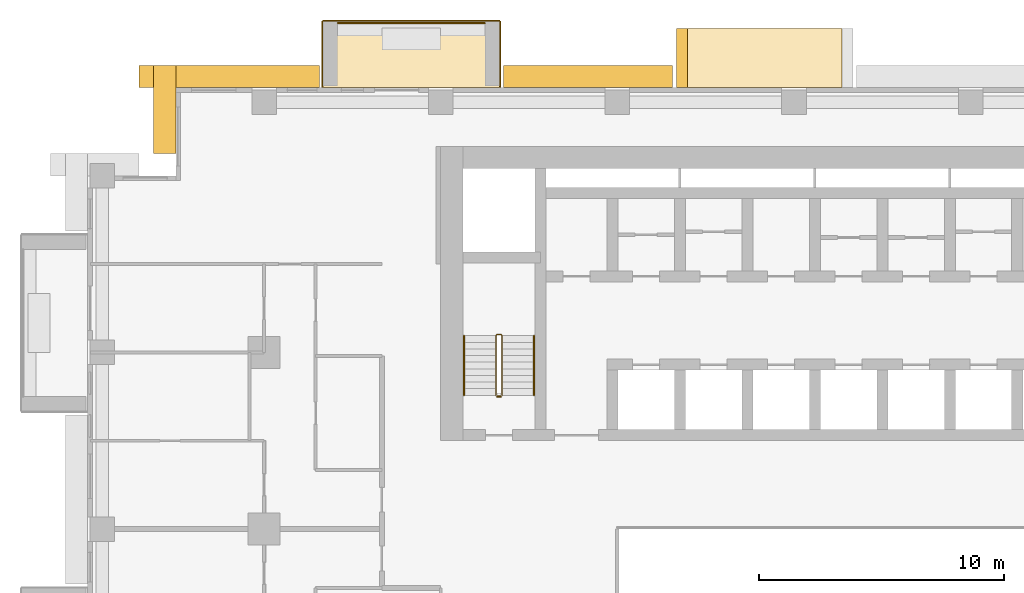
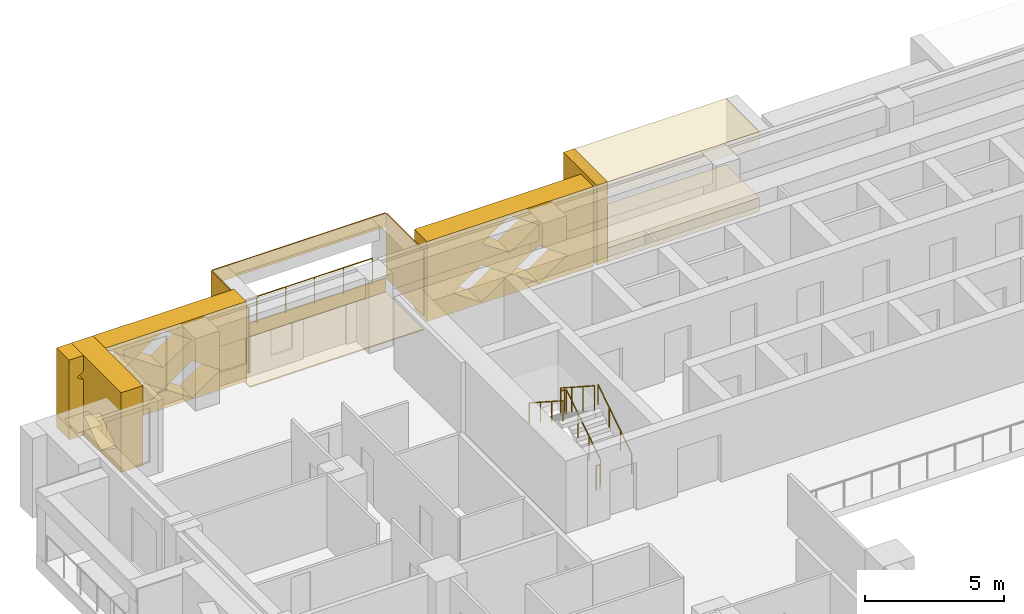
# One storey, part 15 of 17: 11 coverings, 5 railings.
"""IFC4 building model written with IfcOpenShell, lengths in metres."""

import ifcopenshell
import ifcopenshell.guid

model = None  # the IFC model being written
_history = None  # IfcOwnerHistory: only IFC2X3 demands one
_inside = {}  # id of a spatial element -> (the spatial element, [elements in it])
_under = {}  # id of a project, library or spatial element -> (it, [spatial elements below it])
_declared = {}  # id of a project -> (the project, [libraries it declares])
_typed = {}  # id of a type object -> (the type object, [elements of that type])
_made_of = {}  # id of a material, layer set ... -> (it, [elements and type objects made of it])


def new_model(schema):
    """Start an empty IFC model of exactly this schema.

    Asked for "IFC4X3", IfcOpenShell would pick the latest addendum, in which some entities
    have other attributes; the version numbers below select the first issue.
    IFC2X3 requires an IfcOwnerHistory on every rooted entity: one is made here for all.
    """
    global model, _history
    if schema == "IFC4X3":
        model = ifcopenshell.file(schema_version=(4, 3, 0, 0))
    else:
        model = ifcopenshell.file(schema=schema)
    _inside.clear()
    _under.clear()
    _declared.clear()
    _typed.clear()
    _made_of.clear()
    _history = None
    if model.schema == "IFC2X3":
        org = make("IfcOrganization", Name="unknown")
        user = make(
            "IfcPersonAndOrganization",
            ThePerson=make("IfcPerson", FamilyName="unknown"),
            TheOrganization=org,
        )
        app = make(
            "IfcApplication",
            ApplicationDeveloper=org,
            Version="unknown",
            ApplicationFullName="unknown",
            ApplicationIdentifier="unknown",
        )
        _history = make(
            "IfcOwnerHistory",
            OwningUser=user,
            OwningApplication=app,
            ChangeAction="ADDED",
            CreationDate=0,
        )
    return model


def make(cls, **values):
    """One entity of the class cls with the attributes given. An attribute that is None is left unset."""
    return model.create_entity(
        cls, **{name: value for name, value in values.items() if value is not None}
    )


def rooted(cls, **values):
    """An entity with a GlobalId (a new one), such as an element, a storey or a relation."""
    return make(cls, GlobalId=ifcopenshell.guid.new(), OwnerHistory=_history, **values)


def si_unit(unit_type, name, prefix=None):
    """IfcSIUnit, for example si_unit("LENGTHUNIT", "METRE", prefix="MILLI")."""
    return make("IfcSIUnit", UnitType=unit_type, Prefix=prefix, Name=name)


def assignment(units):
    """IfcUnitAssignment: the units of a project."""
    return None if units is None else make("IfcUnitAssignment", Units=units)


def point(xyz):
    """IfcCartesianPoint."""
    return None if xyz is None else make("IfcCartesianPoint", Coordinates=xyz)


def direction(xyz):
    """IfcDirection."""
    return None if xyz is None else make("IfcDirection", DirectionRatios=xyz)


def frame(location, z_axis=None, x_axis=None):
    """IfcAxis2Placement3D, a coordinate frame: its origin and axes. An axis left out is left unset."""
    return make(
        "IfcAxis2Placement3D",
        Location=point(location),
        Axis=direction(z_axis),
        RefDirection=direction(x_axis),
    )


def frame_2d(location, x_axis=None):
    """IfcAxis2Placement2D, a coordinate frame in the plane: its origin and x axis."""
    return make(
        "IfcAxis2Placement2D", Location=point(location), RefDirection=direction(x_axis)
    )


def origin():
    """The frame at (0, 0, 0) with its axes left unset."""
    return frame((0.0, 0.0, 0.0))


def origin_2d():
    """The frame at (0, 0) in the plane with its x axis left unset."""
    return frame_2d((0.0, 0.0))


def place(relative_to, where):
    """IfcLocalPlacement: puts the frame where relative to a parent placement (None: the world)."""
    return make(
        "IfcLocalPlacement", PlacementRelTo=relative_to, RelativePlacement=where
    )


def context(
    kind, dimensions, precision=None, world=None, true_north=None, identifier=None
):
    """IfcGeometricRepresentationContext, for example the 3D "Model" context."""
    return make(
        "IfcGeometricRepresentationContext",
        ContextIdentifier=identifier,
        ContextType=kind,
        CoordinateSpaceDimension=dimensions,
        Precision=precision,
        WorldCoordinateSystem=world,
        TrueNorth=true_north,
    )


def subcontext(parent, identifier, kind, view, scale=None):
    """IfcGeometricRepresentationSubContext, for example "Body" below "Model"."""
    return make(
        "IfcGeometricRepresentationSubContext",
        ContextIdentifier=identifier,
        ContextType=kind,
        ParentContext=parent,
        TargetScale=scale,
        TargetView=view,
    )


def project(units=None, contexts=None):
    """IfcProject with its units and contexts."""
    return rooted(
        "IfcProject",
        Name="project",
        RepresentationContexts=contexts,
        UnitsInContext=assignment(units),
    )


def spatial(cls, under=None, at=None, **own):
    """A site, building, storey or space (cls), placed at a placement, below another one or the project."""
    s = rooted(cls, ObjectPlacement=at, **own)
    if under is not None:
        _under.setdefault(under.id(), (under, []))[1].append(s)
    return s


def polyline(points):
    """IfcPolyline through the points."""
    return make("IfcPolyline", Points=[point(p) for p in points])


def profile(cls, at=None, kind="AREA", **sizes):
    """A parametric profile (cls). Its sizes go by their IFC names, for example OverallWidth=200.0."""
    return make(cls, ProfileType=kind, Position=at, **sizes)


def circle(**sizes):
    """IfcCircleProfileDef."""
    return profile("IfcCircleProfileDef", **sizes)


def outline(outer, holes=None, kind="AREA"):
    """IfcArbitraryClosedProfileDef: a profile drawn as a closed curve; with holes, ...WithVoids."""
    if holes is None:
        return make("IfcArbitraryClosedProfileDef", ProfileType=kind, OuterCurve=outer)
    return make(
        "IfcArbitraryProfileDefWithVoids",
        ProfileType=kind,
        OuterCurve=outer,
        InnerCurves=holes,
    )


def extrude(swept, where, along, depth):
    """IfcExtrudedAreaSolid: the profile swept, set in the frame where, extruded along a direction by depth."""
    return make(
        "IfcExtrudedAreaSolid",
        SweptArea=swept,
        Position=where,
        ExtrudedDirection=direction(along),
        Depth=depth,
    )


def shape(context_of_items, identifier, shape_type, items):
    """IfcShapeRepresentation: the items that make up one representation, for example the "Body"."""
    return make(
        "IfcShapeRepresentation",
        ContextOfItems=context_of_items,
        RepresentationIdentifier=identifier,
        RepresentationType=shape_type,
        Items=items,
    )


def material(Name=None, Category=None):
    """IfcMaterial."""
    return make("IfcMaterial", Name=Name, Category=Category)


def layer(
    of_material, thickness, ventilated=None, Name=None, Category=None, Priority=None
):
    """IfcMaterialLayer: one layer of a wall or slab, of a material (None: an air gap)."""
    return make(
        "IfcMaterialLayer",
        Material=of_material,
        LayerThickness=thickness,
        IsVentilated=ventilated,
        Name=Name,
        Category=Category,
        Priority=Priority,
    )


def layer_set(layers, Name=None):
    """IfcMaterialLayerSet."""
    return make("IfcMaterialLayerSet", MaterialLayers=layers, LayerSetName=Name)


def made_of(thing, what):
    """Note that an element or type object is made of a material, layer set ...; save() writes the relation."""
    if what is not None:
        _made_of.setdefault(what.id(), (what, []))[1].append(thing)
    return thing


def type_object(cls, material=None, **own):
    """A type object (cls), such as IfcWallType, which elements share."""
    return made_of(rooted(cls, **own), material)


def element(
    cls,
    number,
    at=None,
    inside=None,
    cuts=None,
    type_object=None,
    material=None,
    context=None,
    identifier="Body",
    shape_type=None,
    held_by="IfcProductDefinitionShape",
    body=None,
    shapes=None,
    **own,
):
    """One element of the class cls, such as IfcWall. Its Tag is "e" and its number.

    at: its placement. inside: the storey or other place that contains it. cuts: it is an
    opening in that element (IfcRelVoidsElement). A single representation is given by context,
    identifier, shape_type and body (its items); several are given by shapes. held_by: the class
    of the entity that holds the representations. save() writes the other relations.
    """
    e = rooted(cls, Tag="e%d" % number, ObjectPlacement=at, **own)
    if body is not None:
        shapes = [shape(context, identifier, shape_type, body)]
    if shapes is not None:
        e.Representation = make(held_by, Representations=shapes)
    if inside is not None:
        _inside.setdefault(inside.id(), (inside, []))[1].append(e)
    if cuts is not None:
        rooted(
            "IfcRelVoidsElement", RelatingBuildingElement=cuts, RelatedOpeningElement=e
        )
    if type_object is not None:
        _typed.setdefault(type_object.id(), (type_object, []))[1].append(e)
    return made_of(e, material)


def aggregate(whole, parts):
    """IfcRelAggregates: a whole, such as a stair, and the parts it consists of."""
    return rooted("IfcRelAggregates", RelatingObject=whole, RelatedObjects=parts)


def save(model, path):
    """Write the relations noted so far, then the file.

    IfcRelAggregates (storeys below a building ...), IfcRelContainedInSpatialStructure (elements
    in a storey), IfcRelDefinesByType, IfcRelAssociatesMaterial and IfcRelDeclares: one each for
    every whole, place, type object, material and project.
    """
    for whole, parts in _under.values():
        aggregate(whole, parts)
    for where, things in _inside.values():
        rooted(
            "IfcRelContainedInSpatialStructure",
            RelatedElements=things,
            RelatingStructure=where,
        )
    for kind, things in _typed.values():
        rooted("IfcRelDefinesByType", RelatedObjects=things, RelatingType=kind)
    for what, things in _made_of.values():
        rooted("IfcRelAssociatesMaterial", RelatedObjects=things, RelatingMaterial=what)
    for by, libraries in _declared.values():
        rooted("IfcRelDeclares", RelatingContext=by, RelatedDefinitions=libraries)
    model.write(path)


model = new_model("IFC4")

# Units and contexts
model_context = context("Model", 3, precision=1e-05, world=origin(), true_north=direction((0.0, 1.0)))
body_context = subcontext(model_context, "Body", "Model", "MODEL_VIEW")
ifc_project = project(units=[si_unit("LENGTHUNIT", "METRE"), si_unit("AREAUNIT", "SQUARE_METRE"), si_unit("VOLUMEUNIT", "CUBIC_METRE"), si_unit("PLANEANGLEUNIT", "RADIAN"), si_unit("MASSUNIT", "GRAM", prefix="KILO")], contexts=[model_context])

# Site, building, storey
site_placement = place(None, origin())
site = spatial("IfcSite", under=ifc_project, at=site_placement, CompositionType="ELEMENT")
building_placement = place(site_placement, origin())
building = spatial("IfcBuilding", under=site, at=building_placement, Name="Saffron Iwan Residences", CompositionType="ELEMENT")
storey_placement = place(building_placement, frame((0.0, 0.0, 86.5)))
storey = spatial("IfcBuildingStorey", under=building, at=storey_placement, Name="L22", CompositionType="ELEMENT", Elevation=86.5)

# Railing
ifc_material_1 = material(Name="Stainless steel 316", Category="steel")
railing_type_1 = type_object("IfcRailingType", Name="BALCONY GUARD 1150", PredefinedType="GUARDRAIL", material=ifc_material_1)
railing_1_placement = place(storey_placement, frame((30.60009765625, 83.02490234375, 0.0)))
element("IfcRailing", 1, at=railing_1_placement, inside=storey, type_object=railing_type_1, Name="Balcony guard L22 F5-3", PredefinedType="GUARDRAIL", context=body_context, shape_type="SweptSolid", body=[
    extrude(circle(Radius=0.02392578125, at=origin_2d()), frame((0.0, 0.0, 1.1259765625), z_axis=(-1.0, 0.0, 0.0), x_axis=(0.0, -1.0, 0.0)), (0.0, 0.0, 1.0), 6.0),
    extrude(circle(Radius=0.02099609375, at=origin_2d()), origin(), (0.0, 0.0, 1.0), 1.101806640625),
    extrude(circle(Radius=0.02099609375, at=origin_2d()), frame((-1.199951171875, 0.0, 0.0)), (0.0, 0.0, 1.0), 1.101806640625),
    extrude(circle(Radius=0.02099609375, at=origin_2d()), frame((-2.39990234375, 0.0, 0.0)), (0.0, 0.0, 1.0), 1.101806640625),
    extrude(circle(Radius=0.02099609375, at=origin_2d()), frame((-3.60009765625, 0.0, 0.0)), (0.0, 0.0, 1.0), 1.101806640625),
    extrude(circle(Radius=0.02099609375, at=origin_2d()), frame((-4.800048828125, 0.0, 0.0)), (0.0, 0.0, 1.0), 1.101806640625),
    extrude(circle(Radius=0.02099609375, at=origin_2d()), frame((-6.0, 0.0, 0.0)), (0.0, 0.0, 1.0), 1.101806640625),
])

# Coverings
ifc_material_2 = material(Name="Precast concrete C40/50 white painted", Category="concrete")
ifc_layer = layer(ifc_material_2, 0.050048828125)
ifc_layer_set = layer_set([ifc_layer], Name="Precast concrete C40/50 white painted")
covering_type_1 = type_object("IfcCoveringType", Name="FRAME SKIN PRECAST WHITE 50", PredefinedType="CLADDING", material=ifc_layer_set)
for number, where, name in (
    (2, (0.0, 0.0, -0.60009765625), "Frame skin slab edge L22 F5-3"),
    (3, (0.0, 0.0, 2.25), "Frame skin fascia L22 F5-3"),
):
    element("IfcCovering", number, at=place(storey_placement, frame(where)), inside=storey, type_object=covering_type_1, Name=name, PredefinedType="CLADDING", context=body_context, shape_type="SweptSolid", body=[
        extrude(outline(polyline([(31.199951171875, 83.14990234375), (24.0, 83.14990234375), (24.0, 83.10009765625), (31.199951171875, 83.10009765625), (31.199951171875, 83.14990234375)])), origin(), (0.0, 0.0, 1.0), 0.60009765625),
    ])
covering_1_placement = place(storey_placement, frame((0.0, 0.0, -0.64990234375)))
element("IfcCovering", 4, at=covering_1_placement, inside=storey, type_object=covering_type_1, Name="Frame skin soffit L22 F5-3", PredefinedType="CLADDING", context=body_context, shape_type="SweptSolid", body=[
    extrude(outline(polyline([(31.199951171875, 83.10009765625), (24.0, 83.10009765625), (24.0, 80.39990234375), (31.199951171875, 80.39990234375), (31.199951171875, 83.10009765625)])), origin(), (0.0, 0.0, 1.0), 0.0498046875),
])
covering_2_placement = place(storey_placement, origin())
element("IfcCovering", 5, at=covering_2_placement, inside=storey, type_object=covering_type_1, Name="Frame skin fin L22 F5-3a", PredefinedType="CLADDING", context=body_context, shape_type="SweptSolid", body=[
    extrude(outline(polyline([(31.25, 83.10009765625), (31.199951171875, 83.10009765625), (31.199951171875, 80.39990234375), (31.25, 80.39990234375), (31.25, 83.10009765625)])), origin(), (0.0, 0.0, 1.0), 2.85009765625),
])
covering_3_placement = place(storey_placement, origin())
element("IfcCovering", 6, at=covering_3_placement, inside=storey, type_object=covering_type_1, Name="Frame skin fin L22 F5-3b", PredefinedType="CLADDING", context=body_context, shape_type="SweptSolid", body=[
    extrude(outline(polyline([(24.0, 83.10009765625), (23.949951171875, 83.10009765625), (23.949951171875, 80.39990234375), (24.0, 80.39990234375), (24.0, 83.10009765625)])), origin(), (0.0, 0.0, 1.0), 2.85009765625),
])
ifc_material_3 = material(Name="Precast concrete C40/50", Category="concrete")
covering_type_2 = type_object("IfcCoveringType", Name="OUTER SKIN LATTICE SCREEN", PredefinedType="CLADDING", material=ifc_material_3)
covering_4_placement = place(storey_placement, frame((38.25, 80.39990234375, -0.320068359375), z_axis=(0.0, 1.0, 0.0), x_axis=(-1.0, 0.0, 0.0)))
element("IfcCovering", 7, at=covering_4_placement, inside=storey, type_object=covering_type_2, Name="OUTER SKIN lattice screen L22 F5.3", PredefinedType="CLADDING", context=body_context, shape_type="SweptSolid", body=[
    extrude(outline(polyline([(0.0, 0.0), (6.89990234375, 0.0), (6.89990234375, 3.5), (0.0, 3.5), (0.0, 0.0)]), holes=[polyline([(1.070068359375, 0.875), (2.25, 0.06005859375), (3.429931640625, 0.875), (2.25, 1.68994140625), (1.070068359375, 0.875)]), polyline([(3.469970703125, 0.875), (4.64990234375, 0.06005859375), (5.830078125, 0.875), (4.64990234375, 1.68994140625), (3.469970703125, 0.875)]), polyline([(2.27001953125, 2.625), (3.449951171875, 1.81005859375), (4.6298828125, 2.625), (3.449951171875, 3.43994140625), (2.27001953125, 2.625)])]), origin(), (0.0, 0.0, 1.0), 0.900146484375),
])
covering_5_placement = place(storey_placement, frame((23.85009765625, 80.39990234375, -0.320068359375), z_axis=(0.0, 1.0, 0.0), x_axis=(-1.0, 0.0, 0.0)))
element("IfcCovering", 8, at=covering_5_placement, inside=storey, type_object=covering_type_2, Name="OUTER SKIN lattice screen L22 F5.4", PredefinedType="CLADDING", context=body_context, shape_type="SweptSolid", body=[
    extrude(outline(polyline([(0.0, 0.0), (7.35009765625, 0.0), (7.35009765625, 3.5), (0.0, 3.5), (0.0, 0.0)]), holes=[polyline([(1.070068359375, 0.875), (2.25, 0.06005859375), (3.429931640625, 0.875), (2.25, 1.68994140625), (1.070068359375, 0.875)]), polyline([(3.469970703125, 0.875), (4.64990234375, 0.06005859375), (5.830078125, 0.875), (4.64990234375, 1.68994140625), (3.469970703125, 0.875)]), polyline([(2.27001953125, 2.625), (3.449951171875, 1.81005859375), (4.6298828125, 2.625), (3.449951171875, 3.43994140625), (2.27001953125, 2.625)]), polyline([(4.669921875, 2.625), (5.85009765625, 1.81005859375), (7.030029296875, 2.625), (5.85009765625, 3.43994140625), (4.669921875, 2.625)])]), origin(), (0.0, 0.0, 1.0), 0.900146484375),
])
covering_6_placement = place(storey_placement, frame((18.0, 81.300048828125, -0.320068359375), z_axis=(-1.0, 0.0, 0.0), x_axis=(0.0, -1.0, 0.0)))
element("IfcCovering", 9, at=covering_6_placement, inside=storey, type_object=covering_type_2, Name="OUTER SKIN lattice screen L22 F6.0", PredefinedType="CLADDING", context=body_context, shape_type="SweptSolid", body=[
    extrude(outline(polyline([(0.0, 0.0), (3.60009765625, 0.0), (3.60009765625, 3.5), (0.0, 3.5), (0.0, 0.0)]), holes=[polyline([(0.919921875, 0.875), (2.10009765625, 0.06005859375), (3.280029296875, 0.875), (2.10009765625, 1.68994140625), (0.919921875, 0.875)])]), origin(), (0.0, 0.0, 1.0), 0.89990234375),
])

# Railings
ifc_material_4 = material(Name="Steel S355", Category="steel")
railing_type_2 = type_object("IfcRailingType", Name="Stair guard 1100", PredefinedType="GUARDRAIL", material=ifc_material_4)
railing_2_placement = place(storey_placement, frame((31.300048828125, 67.85009765625, 0.175048828125)))
element("IfcRailing", 10, at=railing_2_placement, inside=storey, type_object=railing_type_2, Name="L22 ST-W stair guard 1", PredefinedType="GUARDRAIL", context=body_context, shape_type="SweptSolid", body=[
    extrude(circle(Radius=0.02392578125, at=origin_2d()), frame((0.0, 0.0, 1.076171875), z_axis=(0.0, 0.839153699163, 0.543894354798), x_axis=(-1.0, 0.0, 0.0)), (0.0, 0.0, 1.0), 2.895751953125),
    extrude(circle(Radius=0.02392578125, at=origin_2d()), frame((0.0, 2.429931640625, 2.65087890625), z_axis=(-0.707106781187, 0.707106781187, 0.0), x_axis=(-0.707106781187, -0.707106781187, 0.0)), (0.0, 0.0, 1.0), 0.07080078125),
    extrude(circle(Radius=0.02392578125, at=origin_2d()), frame((-0.050048828125, 2.47998046875, 2.65087890625), z_axis=(-1.0, 0.0, 0.0), x_axis=(0.0, -1.0, 0.0)), (0.0, 0.0, 1.0), 0.14990234375),
    extrude(circle(Radius=0.02392578125, at=origin_2d()), frame((-0.199951171875, 2.47998046875, 2.65087890625), z_axis=(-0.265065253269, -0.265065253269, 0.927081885822), x_axis=(0.707106781187, -0.707106781187, 0.0)), (0.0, 0.0, 1.0), 0.188720703125),
    extrude(circle(Radius=0.02392578125, at=origin_2d()), frame((-0.25, 2.429931640625, 2.826171875), z_axis=(0.0, -0.839153699163, 0.543894354798), x_axis=(1.0, 0.0, 0.0)), (0.0, 0.0, 1.0), 2.895751953125),
    extrude(circle(Radius=0.02099609375, at=origin_2d()), origin(), (0.0, 0.0, 1.0), 1.052001953125),
    extrude(circle(Radius=0.02099609375, at=origin_2d()), frame((0.0, 0.81005859375, 0.52490234375)), (0.0, 0.0, 1.0), 1.052001953125),
    extrude(circle(Radius=0.02099609375, at=origin_2d()), frame((0.0, 1.619873046875, 1.050048828125)), (0.0, 0.0, 1.0), 1.052001953125),
    extrude(circle(Radius=0.02099609375, at=origin_2d()), frame((0.0, 2.429931640625, 1.574951171875)), (0.0, 0.0, 1.0), 1.052001953125),
    extrude(circle(Radius=0.02099609375, at=origin_2d()), frame((-0.050048828125, 2.47998046875, 1.574951171875)), (0.0, 0.0, 1.0), 1.052001953125),
    extrude(circle(Radius=0.02099609375, at=origin_2d()), frame((-0.199951171875, 2.47998046875, 1.574951171875)), (0.0, 0.0, 1.0), 1.052001953125),
    extrude(circle(Radius=0.02099609375, at=origin_2d()), frame((-0.25, 2.429931640625, 1.75)), (0.0, 0.0, 1.0), 1.052001953125),
    extrude(circle(Radius=0.02099609375, at=origin_2d()), frame((-0.25, 1.619873046875, 2.27490234375)), (0.0, 0.0, 1.0), 1.052001953125),
    extrude(circle(Radius=0.02099609375, at=origin_2d()), frame((-0.25, 0.81005859375, 2.800048828125)), (0.0, 0.0, 1.0), 1.052001953125),
    extrude(circle(Radius=0.02099609375, at=origin_2d()), frame((-0.25, 0.0, 3.324951171875)), (0.0, 0.0, 1.0), 1.052001953125),
])
railing_3_placement = place(storey_placement, frame((31.25, 67.800048828125, 0.0)))
element("IfcRailing", 11, at=railing_3_placement, inside=storey, type_object=railing_type_2, Name="L22 ST-W stair guard 2", PredefinedType="GUARDRAIL", context=body_context, shape_type="SweptSolid", body=[
    extrude(circle(Radius=0.02392578125, at=origin_2d()), frame((0.0, 0.0, 1.076171875), z_axis=(-1.0, 0.0, 0.0), x_axis=(0.0, -1.0, 0.0)), (0.0, 0.0, 1.0), 0.14990234375),
    extrude(circle(Radius=0.02099609375, at=origin_2d()), origin(), (0.0, 0.0, 1.0), 1.052001953125),
    extrude(circle(Radius=0.02099609375, at=origin_2d()), frame((-0.14990234375, 0.0, 0.0)), (0.0, 0.0, 1.0), 1.052001953125),
])
railing_type_3 = type_object("IfcRailingType", Name="Stair handrail 900", PredefinedType="HANDRAIL", material=ifc_material_1)
railing_4_placement = place(storey_placement, frame((32.60009765625, 67.85009765625, 0.175048828125)))
element("IfcRailing", 12, at=railing_4_placement, inside=storey, type_object=railing_type_3, Name="L22 ST-W stair handrail 1", PredefinedType="HANDRAIL", context=body_context, shape_type="SweptSolid", body=[
    extrude(circle(Radius=0.02392578125, at=origin_2d()), frame((0.0, 0.0, 0.8759765625), z_axis=(0.0, 0.839153699163, 0.543894354798), x_axis=(-1.0, 0.0, 0.0)), (0.0, 0.0, 1.0), 2.895751953125),
    extrude(circle(Radius=0.02099609375, at=origin_2d()), origin(), (0.0, 0.0, 1.0), 0.851806640625),
    extrude(circle(Radius=0.02099609375, at=origin_2d()), frame((0.0, 0.81005859375, 0.52490234375)), (0.0, 0.0, 1.0), 0.851806640625),
    extrude(circle(Radius=0.02099609375, at=origin_2d()), frame((0.0, 1.619873046875, 1.050048828125)), (0.0, 0.0, 1.0), 0.851806640625),
    extrude(circle(Radius=0.02099609375, at=origin_2d()), frame((0.0, 2.429931640625, 1.574951171875)), (0.0, 0.0, 1.0), 0.851806640625),
])
railing_5_placement = place(storey_placement, frame((29.75, 70.280029296875, 1.925048828125)))
element("IfcRailing", 13, at=railing_5_placement, inside=storey, type_object=railing_type_3, Name="L22 ST-W stair handrail 2", PredefinedType="HANDRAIL", context=body_context, shape_type="SweptSolid", body=[
    extrude(circle(Radius=0.02392578125, at=origin_2d()), frame((0.0, 0.0, 0.8759765625), z_axis=(0.0, -0.839153699163, 0.543894354798), x_axis=(1.0, 0.0, 0.0)), (0.0, 0.0, 1.0), 2.895751953125),
    extrude(circle(Radius=0.02099609375, at=origin_2d()), origin(), (0.0, 0.0, 1.0), 0.851806640625),
    extrude(circle(Radius=0.02099609375, at=origin_2d()), frame((0.0, -0.81005859375, 0.52490234375)), (0.0, 0.0, 1.0), 0.851806640625),
    extrude(circle(Radius=0.02099609375, at=origin_2d()), frame((0.0, -1.619873046875, 1.050048828125)), (0.0, 0.0, 1.0), 0.851806640625),
    extrude(circle(Radius=0.02099609375, at=origin_2d()), frame((0.0, -2.429931640625, 1.574951171875)), (0.0, 0.0, 1.0), 0.851806640625),
])

# Coverings
covering_type_3 = type_object("IfcCoveringType", Name="WHITE SUN FRAME PRECAST", PredefinedType="CLADDING", material=ifc_material_2)
covering_7_placement = place(storey_placement, frame((38.85009765625, 80.39990234375, -0.320068359375), z_axis=(0.0, 1.0, 0.0), x_axis=(-1.0, 0.0, 0.0)))
element("IfcCovering", 14, at=covering_7_placement, inside=storey, type_object=covering_type_3, Name="Sun frame L22 F5 37.2b", PredefinedType="CLADDING", context=body_context, shape_type="SweptSolid", body=[
    extrude(outline(polyline([(0.0, 0.0), (0.449951171875, 0.0), (0.449951171875, 3.5), (0.0, 3.5), (0.0, 0.0)])), origin(), (0.0, 0.0, 1.0), 2.400146484375),
])
for number, where, z_axis, x_axis, name in (
    (15, (45.14990234375, 80.39990234375, 2.580078125), (0.0, 1.0, 0.0), (-1.0, 0.0, 0.0), "Sun frame L22 F5 37.2h"),
    (16, (45.14990234375, 80.39990234375, -0.320068359375), (0.0, 1.0, 0.0), (-1.0, 0.0, 0.0), "Sun frame L22 F5 37.2s"),
):
    element("IfcCovering", number, at=place(storey_placement, frame(where, z_axis=z_axis, x_axis=x_axis)), inside=storey, type_object=covering_type_3, Name=name, PredefinedType="CLADDING", context=body_context, shape_type="SweptSolid", body=[
        extrude(outline(polyline([(0.0, 0.0), (6.300048828125, 0.0), (6.300048828125, 0.60009765625), (0.0, 0.60009765625), (0.0, 0.0)])), origin(), (0.0, 0.0, 1.0), 2.400146484375),
    ])

save(model, "model.ifc")
